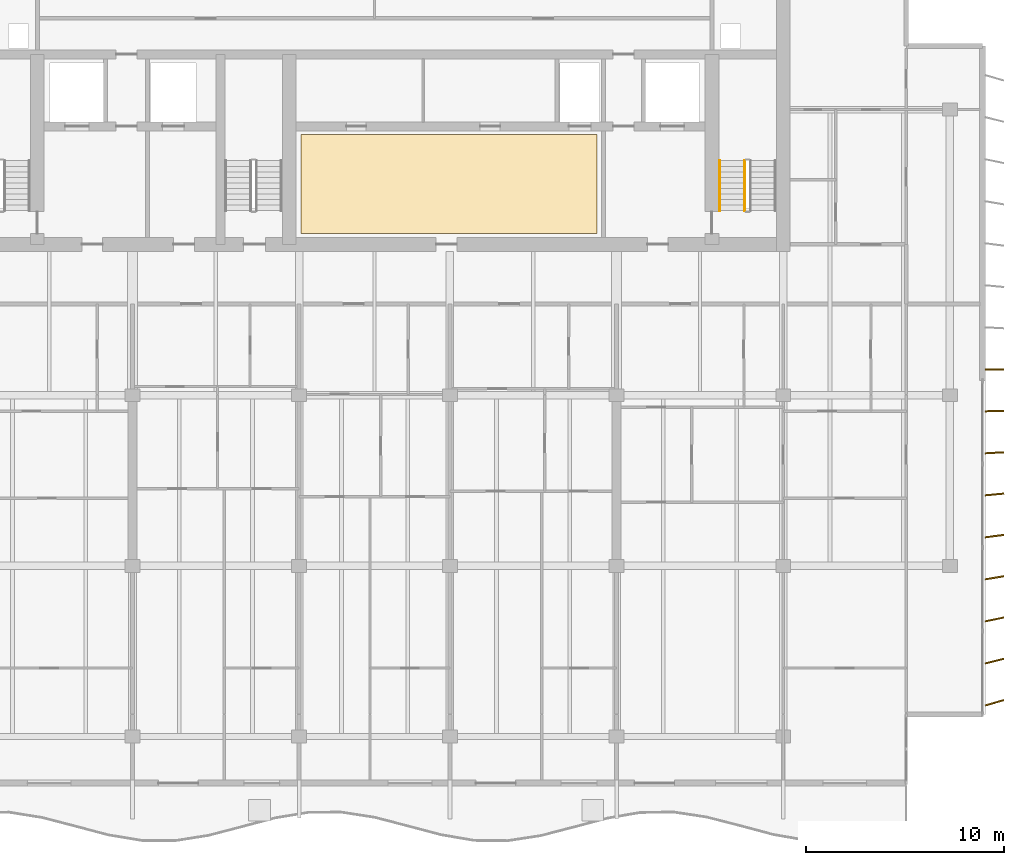
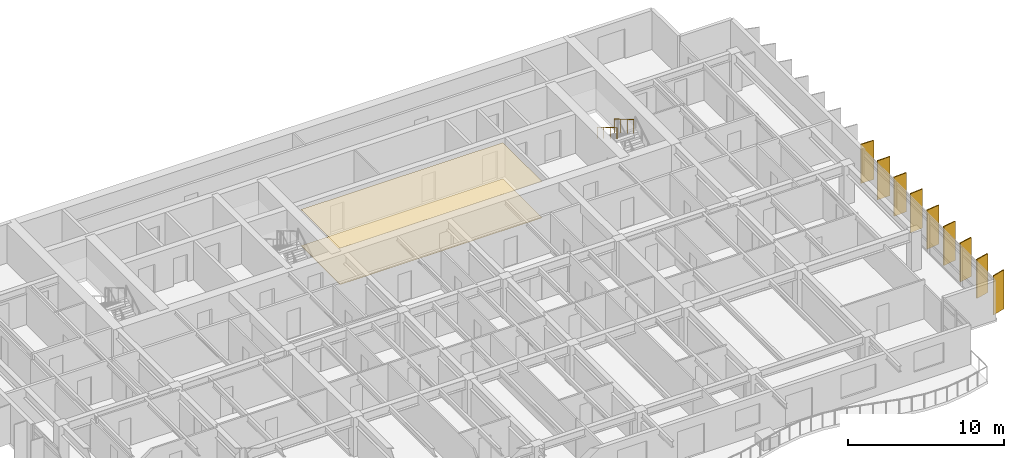
# One storey, part 14 of 17: 9 shading devices, 2 coverings, 2 railings.
"""IFC4 building model written with IfcOpenShell, lengths in metres."""

from ifc_helpers import new_model, si_unit, direction, frame, origin, origin_2d, place, context, subcontext, project, spatial, polyline, rectangle, circle, outline, extrude, material, layer, layer_set, material_profile, profile_set, type_object, element, save


model = new_model("IFC4")

# Units and contexts
model_context = context("Model", 3, precision=1e-05, world=origin(), true_north=direction((0.0, 1.0)))
body_context = subcontext(model_context, "Body", "Model", "MODEL_VIEW")
ifc_project = project(units=[si_unit("LENGTHUNIT", "METRE"), si_unit("AREAUNIT", "SQUARE_METRE"), si_unit("VOLUMEUNIT", "CUBIC_METRE"), si_unit("PLANEANGLEUNIT", "RADIAN"), si_unit("MASSUNIT", "GRAM", prefix="KILO")], contexts=[model_context])

# Site, building, storey
site_placement = place(None, origin())
site = spatial("IfcSite", under=ifc_project, at=site_placement, CompositionType="ELEMENT")
building_placement = place(site_placement, origin())
building = spatial("IfcBuilding", under=site, at=building_placement, Name="Caelmar Bay Residences", CompositionType="ELEMENT")
storey_placement = place(building_placement, frame((0.0, 0.0, 236.39990234375)))
storey = spatial("IfcBuildingStorey", under=building, at=storey_placement, Name="L66", CompositionType="ELEMENT", Elevation=236.39990234375)

# Coverings
ifc_material_1 = material(Name="Perforated acoustic gypsum-mineral ceiling tile 20 mm")
ifc_layer_1 = layer(ifc_material_1, 0.02001953125)
ifc_layer_set_1 = layer_set([ifc_layer_1], Name="Perforated acoustic gypsum-mineral ceiling tile 20 mm")
covering_type_1 = type_object("IfcCoveringType", Name="COV-CEIL-20", PredefinedType="CEILING", material=ifc_layer_set_1)
covering_1_placement = place(storey_placement, frame((0.0, 0.0, 2.830078125)))
element("IfcCovering", 1, at=covering_1_placement, inside=storey, type_object=covering_type_1, Name="L66 Lift Lobby Acoustic Ceiling", PredefinedType="CEILING", context=body_context, shape_type="SweptSolid", body=[
    extrude(outline(polyline([(35.199951171875, 37.550048828125), (50.10009765625, 37.550048828125), (50.10009765625, 42.550048828125), (35.199951171875, 42.550048828125), (35.199951171875, 37.550048828125)])), origin(), (0.0, 0.0, 1.0), 0.02001953125),
])
ifc_material_2 = material(Name="Honed terrazzo and engineered white-oak flooring 20 mm")
ifc_layer_2 = layer(ifc_material_2, 0.02001953125)
ifc_layer_set_2 = layer_set([ifc_layer_2], Name="Honed terrazzo and engineered white-oak flooring 20 mm")
covering_type_2 = type_object("IfcCoveringType", Name="COV-FLR-20", PredefinedType="FLOORING", material=ifc_layer_set_2)
covering_2_placement = place(storey_placement, origin())
element("IfcCovering", 2, at=covering_2_placement, inside=storey, type_object=covering_type_2, Name="L66 Lift Lobby Terrazzo Flooring", PredefinedType="FLOORING", context=body_context, shape_type="SweptSolid", body=[
    extrude(outline(polyline([(35.199951171875, 37.550048828125), (50.10009765625, 37.550048828125), (50.10009765625, 42.550048828125), (35.199951171875, 42.550048828125), (35.199951171875, 37.550048828125)])), origin(), (0.0, 0.0, 1.0), 0.02001953125),
])

# Railings
ifc_material_3 = material(Name="Painted galvanized steel stair guard 1100 mm", Category="steel")
railing_type_1 = type_object("IfcRailingType", Name="RL-GRD-1100", PredefinedType="GUARDRAIL", material=ifc_material_3)
railing_1_placement = place(storey_placement, frame((57.550048828125, 41.219970703125, 1.815185546875)))
element("IfcRailing", 3, at=railing_1_placement, inside=storey, type_object=railing_type_1, Name="L66 ST2 stair guard 3", PredefinedType="GUARDRAIL", context=body_context, shape_type="SweptSolid", body=[
    extrude(circle(Radius=0.02392578125, at=origin_2d()), frame((0.0, 0.0, 1.076171875), z_axis=(0.0, -0.861560626758, 0.507654692109), x_axis=(1.0, 0.0, 0.0)), (0.0, 0.0, 1.0), 2.925048828125),
    extrude(circle(Radius=0.02099609375, at=origin_2d()), origin(), (0.0, 0.0, 1.0), 1.052001953125),
    extrude(circle(Radius=0.02099609375, at=origin_2d()), frame((0.0, -0.840087890625, 0.494873046875)), (0.0, 0.0, 1.0), 1.052001953125),
    extrude(circle(Radius=0.02099609375, at=origin_2d()), frame((0.0, -1.679931640625, 0.989990234375)), (0.0, 0.0, 1.0), 1.052001953125),
    extrude(circle(Radius=0.02099609375, at=origin_2d()), frame((0.0, -2.52001953125, 1.48486328125)), (0.0, 0.0, 1.0), 1.052001953125),
])
ifc_material_4 = material(Name="Brushed bronze stainless-steel tubular handrail 900 mm", Category="steel")
railing_type_2 = type_object("IfcRailingType", Name="RL-HND-900", PredefinedType="HANDRAIL", material=ifc_material_4)
railing_2_placement = place(storey_placement, frame((56.300048828125, 41.219970703125, 1.815185546875)))
element("IfcRailing", 4, at=railing_2_placement, inside=storey, type_object=railing_type_2, Name="L66 ST2 stair handrail 2", PredefinedType="HANDRAIL", context=body_context, shape_type="SweptSolid", body=[
    extrude(circle(Radius=0.02392578125, at=origin_2d()), frame((0.0, 0.0, 0.8759765625), z_axis=(0.0, -0.861560626758, 0.507654692109), x_axis=(1.0, 0.0, 0.0)), (0.0, 0.0, 1.0), 2.925048828125),
    extrude(circle(Radius=0.02099609375, at=origin_2d()), origin(), (0.0, 0.0, 1.0), 0.851806640625),
    extrude(circle(Radius=0.02099609375, at=origin_2d()), frame((0.0, -0.840087890625, 0.494873046875)), (0.0, 0.0, 1.0), 0.851806640625),
    extrude(circle(Radius=0.02099609375, at=origin_2d()), frame((0.0, -1.679931640625, 0.989990234375)), (0.0, 0.0, 1.0), 0.851806640625),
    extrude(circle(Radius=0.02099609375, at=origin_2d()), frame((0.0, -2.52001953125, 1.48486328125)), (0.0, 0.0, 1.0), 0.851806640625),
])

# Shading devices
ifc_material_5 = material(Name="Anodised architectural bronze aluminium 6063-T6", Category="aluminium")
ifc_material_profile = material_profile(ifc_material_5, rectangle(XDim=0.074951171875, YDim=0.949951171875, at=origin_2d()), Name="BRONZE-FIN-75X950")
ifc_profile_set = profile_set([ifc_material_profile], Name="Anodised architectural bronze aluminium 6063-T6")
shading_device_type = type_object("IfcShadingDeviceType", Name="SHD-FIN-950", PredefinedType="USERDEFINED", material=ifc_profile_set)
for number, where, z_axis, x_axis, name in (
    (5, (70.14990234375, 13.89990234375, 0.0), (0.0, 0.0, 1.0), (-0.275637355817, 0.961261695938, 0.0), "L66 East Bronze Solar Fin 1"),
    (6, (70.14990234375, 16.0, 0.0), (0.0, 0.0, 1.0), (-0.239719743609, 0.970842131618, 0.0), "L66 East Bronze Solar Fin 2"),
    (7, (70.14990234375, 18.10009765625, 0.0), (0.0, 0.0, 1.0), (-0.2032999874, 0.979116497217, 0.0), "L66 East Bronze Solar Fin 3"),
    (8, (70.14990234375, 20.199951171875, 0.0), (0.0, 0.0, 1.0), (-0.166768746716, 0.985996037071, 0.0), "L66 East Bronze Solar Fin 4"),
    (9, (70.14990234375, 22.300048828125, 0.0), (0.0, 0.0, 1.0), (-0.130007055036, 0.99151306882, 0.0), "L66 East Bronze Solar Fin 5"),
    (10, (70.14990234375, 24.39990234375, 0.0), (0.0, 0.0, 1.0), (-0.092891934994, 0.995676196569, 0.0), "L66 East Bronze Solar Fin 6"),
    (11, (70.14990234375, 26.5, 0.0), (0.0, 0.0, 1.0), (-0.055821504993, 0.998440764182, 0.0), "L66 East Bronze Solar Fin 7"),
    (12, (70.14990234375, 28.60009765625, 0.0), (0.0, 0.0, 1.0), (-0.018673937509, 0.999825626826, 0.0), "L66 East Bronze Solar Fin 8"),
    (13, (70.14990234375, 30.699951171875, 0.0), (0.0, 0.0, 1.0), (0.018673937509, 0.999825626826, 0.0), "L66 East Bronze Solar Fin 9"),
):
    element("IfcShadingDevice", number, at=place(storey_placement, frame(where, z_axis=z_axis, x_axis=x_axis)), inside=storey, type_object=shading_device_type, Name=name, ObjectType="FIN", PredefinedType="USERDEFINED", context=body_context, shape_type="SweptSolid", body=[
        extrude(rectangle(XDim=0.074951171875, YDim=0.949951171875, at=origin_2d()), origin(), (0.0, 0.0, 1.0), 3.050048828125),
    ])

save(model, "model.ifc")
